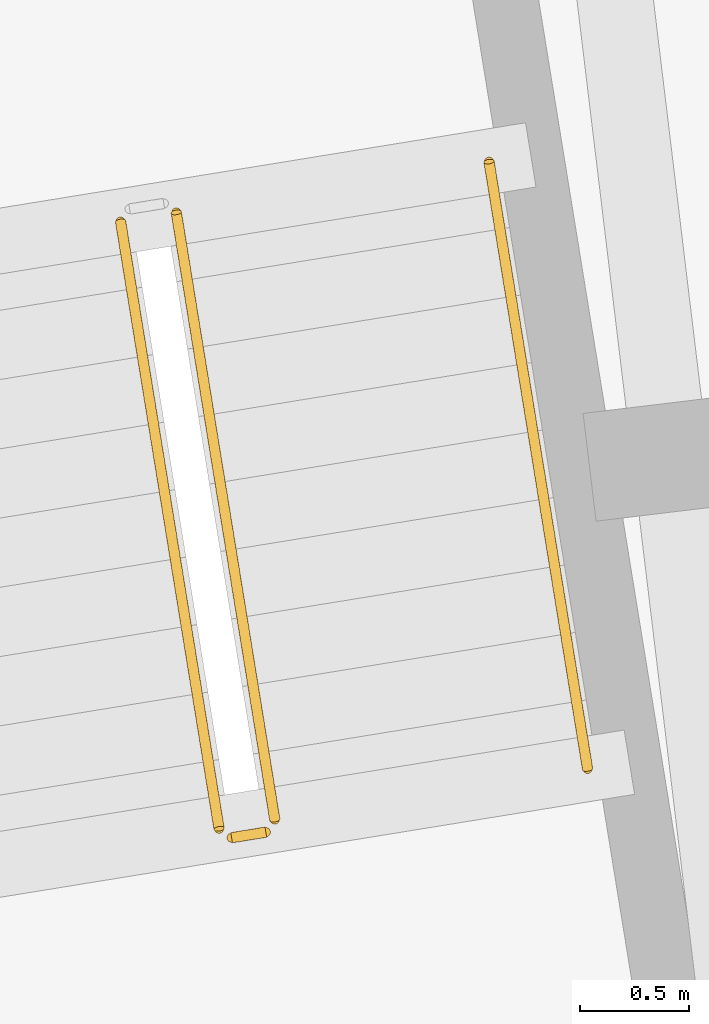
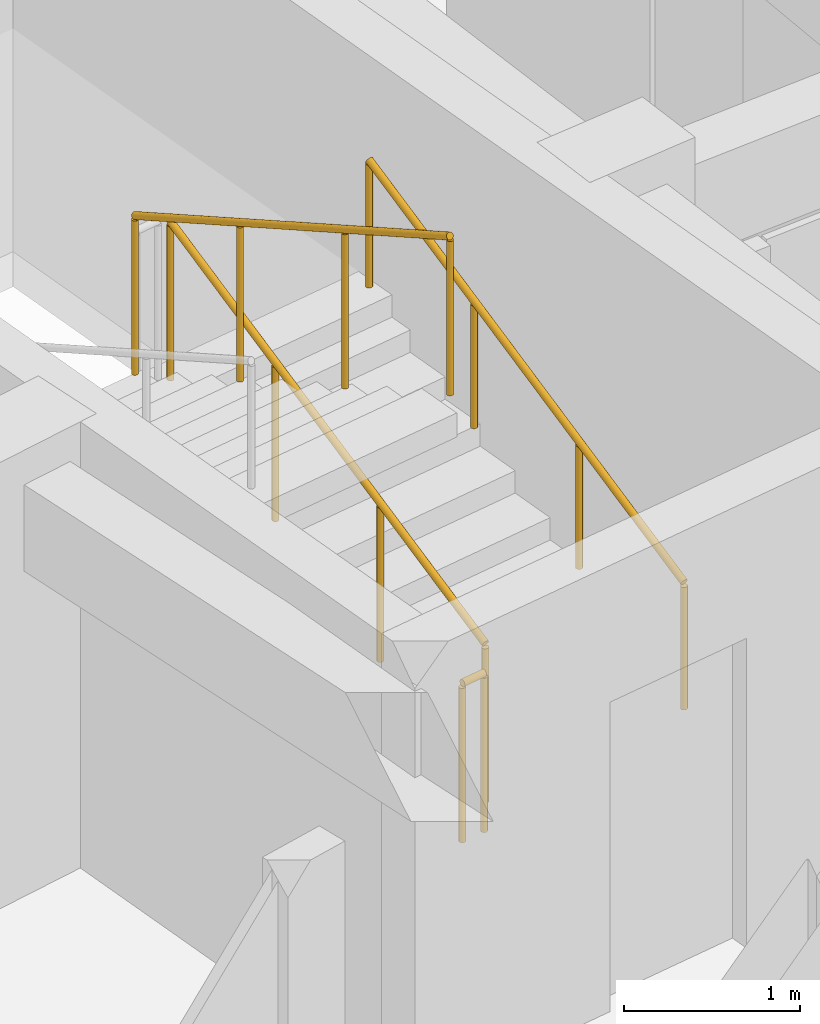
# One storey, part 44 of 54: 4 railings.
"""IFC4 building model written with IfcOpenShell, lengths in metres."""

from ifc_helpers import new_model, si_unit, direction, frame, origin, origin_2d, place, context, subcontext, project, spatial, circle, extrude, material, type_object, element, save


model = new_model("IFC4")

# Units and contexts
model_context = context("Model", 3, precision=1e-05, world=origin(), true_north=direction((0.0, 1.0)))
body_context = subcontext(model_context, "Body", "Model", "MODEL_VIEW")
ifc_project = project(units=[si_unit("LENGTHUNIT", "METRE"), si_unit("AREAUNIT", "SQUARE_METRE"), si_unit("VOLUMEUNIT", "CUBIC_METRE"), si_unit("PLANEANGLEUNIT", "RADIAN"), si_unit("MASSUNIT", "GRAM", prefix="KILO")], contexts=[model_context])

# Site, building, storey
site_placement = place(None, origin())
site = spatial("IfcSite", under=ifc_project, at=site_placement, CompositionType="ELEMENT")
building_placement = place(site_placement, origin())
building = spatial("IfcBuilding", under=site, at=building_placement, Name="Zimvara Arc Housing Community", CompositionType="ELEMENT")
storey_placement = place(building_placement, frame((0.0, 0.0, 23.60009765625)))
storey = spatial("IfcBuildingStorey", under=building, at=storey_placement, Name="L07", CompositionType="ELEMENT", Elevation=23.60009765625)

# Railings
ifc_material_1 = material(Name="Anodised Aluminium AW-6063", Category="aluminium")
railing_type_1 = type_object("IfcRailingType", Name="RLG-BAL-1120", PredefinedType="BALUSTRADE", material=ifc_material_1)
railing_1_placement = place(storey_placement, frame((36.732421875, 96.243896484375, 0.15478515625)))
element("IfcRailing", 1, at=railing_1_placement, inside=storey, type_object=railing_type_1, Name="L07 ST-A2 stair guard 1", PredefinedType="BALUSTRADE", context=body_context, shape_type="SweptSolid", body=[
    extrude(circle(Radius=0.02392578125, at=origin_2d()), frame((0.0, 0.0, 1.09619140625), z_axis=(-0.143721784145, 0.885666177347, 0.441519502474), x_axis=(-0.987087819028, -0.160180016, 0.0)), (0.0, 0.0, 1.0), 3.15966796875),
    extrude(circle(Radius=0.02099609375, at=origin_2d()), origin(), (0.0, 0.0, 1.0), 1.072021484375),
    extrude(circle(Radius=0.02099609375, at=origin_2d()), frame((-0.1513671875, 0.932861328125, 0.465087890625)), (0.0, 0.0, 1.0), 1.072021484375),
    extrude(circle(Radius=0.02099609375, at=origin_2d()), frame((-0.302734375, 1.865478515625, 0.929931640625)), (0.0, 0.0, 1.0), 1.072021484375),
    extrude(circle(Radius=0.02099609375, at=origin_2d()), frame((-0.4541015625, 2.79833984375, 1.39501953125)), (0.0, 0.0, 1.0), 1.072021484375),
])
railing_2_placement = place(storey_placement, frame((36.021728515625, 99.00048828125, 1.704833984375)))
element("IfcRailing", 2, at=railing_2_placement, inside=storey, type_object=railing_type_1, Name="L07 ST-A2 stair guard 3", PredefinedType="BALUSTRADE", context=body_context, shape_type="SweptSolid", body=[
    extrude(circle(Radius=0.02392578125, at=origin_2d()), frame((0.0, 0.0, 1.09619140625), z_axis=(0.143721784145, -0.885666177347, 0.441519502474), x_axis=(0.987087819028, 0.160180016, 0.0)), (0.0, 0.0, 1.0), 3.15966796875),
    extrude(circle(Radius=0.02099609375, at=origin_2d()), origin(), (0.0, 0.0, 1.0), 1.072021484375),
    extrude(circle(Radius=0.02099609375, at=origin_2d()), frame((0.1513671875, -0.932861328125, 0.465087890625)), (0.0, 0.0, 1.0), 1.072021484375),
    extrude(circle(Radius=0.02099609375, at=origin_2d()), frame((0.302734375, -1.865478515625, 0.929931640625)), (0.0, 0.0, 1.0), 1.072021484375),
    extrude(circle(Radius=0.02099609375, at=origin_2d()), frame((0.4541015625, -2.79833984375, 1.39501953125)), (0.0, 0.0, 1.0), 1.072021484375),
])
railing_3_placement = place(storey_placement, frame((36.691162109375, 96.1865234375, 0.0)))
element("IfcRailing", 3, at=railing_3_placement, inside=storey, type_object=railing_type_1, Name="L07 ST-A2 stair guard 4", PredefinedType="BALUSTRADE", context=body_context, shape_type="SweptSolid", body=[
    extrude(circle(Radius=0.02392578125, at=origin_2d()), frame((0.0, 0.0, 1.09619140625), z_axis=(-0.987085924886, -0.160191687964, 0.0), x_axis=(0.160191687964, -0.987085924886, 0.0)), (0.0, 0.0, 1.0), 0.159912109375),
    extrude(circle(Radius=0.02099609375, at=origin_2d()), origin(), (0.0, 0.0, 1.0), 1.072021484375),
    extrude(circle(Radius=0.02099609375, at=origin_2d()), frame((-0.157958984375, -0.025634765625, 0.0)), (0.0, 0.0, 1.0), 1.072021484375),
])
ifc_material_2 = material(Name="Anodised Aluminium AW-6063", Category="aluminium")
railing_type_2 = type_object("IfcRailingType", Name="RLG-HND-900", PredefinedType="HANDRAIL", material=ifc_material_2)
railing_4_placement = place(storey_placement, frame((38.173583984375, 96.477783203125, 0.15478515625)))
element("IfcRailing", 4, at=railing_4_placement, inside=storey, type_object=railing_type_2, Name="L07 ST-A2 stair handrail 1", PredefinedType="HANDRAIL", context=body_context, shape_type="SweptSolid", body=[
    extrude(circle(Radius=0.02392578125, at=origin_2d()), frame((0.0, 0.0, 0.8759765625), z_axis=(-0.143721784145, 0.885666177347, 0.441519502474), x_axis=(-0.987087819028, -0.160180016, 0.0)), (0.0, 0.0, 1.0), 3.15966796875),
    extrude(circle(Radius=0.02099609375, at=origin_2d()), origin(), (0.0, 0.0, 1.0), 0.851806640625),
    extrude(circle(Radius=0.02099609375, at=origin_2d()), frame((-0.1513671875, 0.932861328125, 0.465087890625)), (0.0, 0.0, 1.0), 0.851806640625),
    extrude(circle(Radius=0.02099609375, at=origin_2d()), frame((-0.302734375, 1.865478515625, 0.929931640625)), (0.0, 0.0, 1.0), 0.851806640625),
    extrude(circle(Radius=0.02099609375, at=origin_2d()), frame((-0.4541015625, 2.79833984375, 1.39501953125)), (0.0, 0.0, 1.0), 0.851806640625),
])

save(model, "model.ifc")
